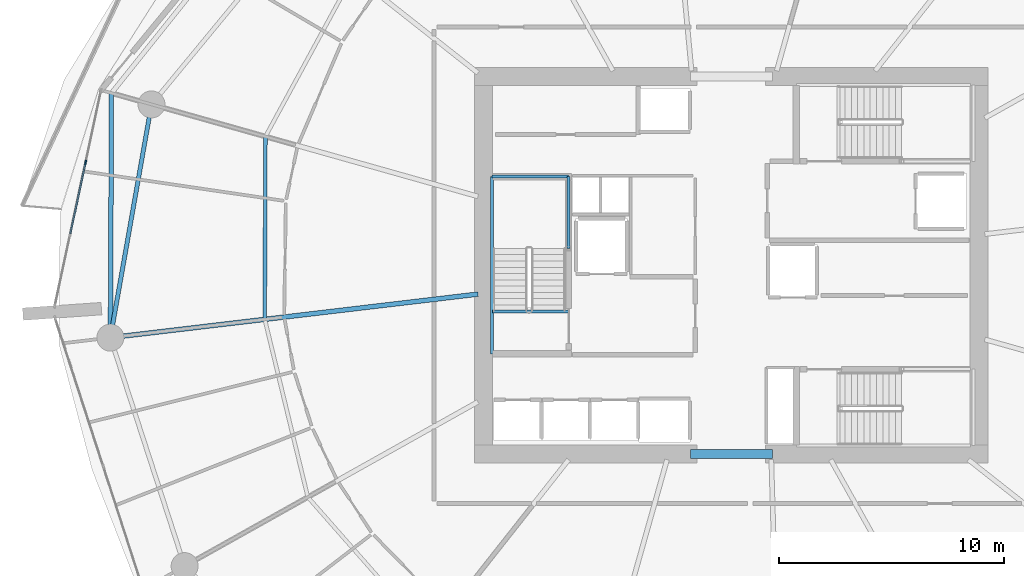
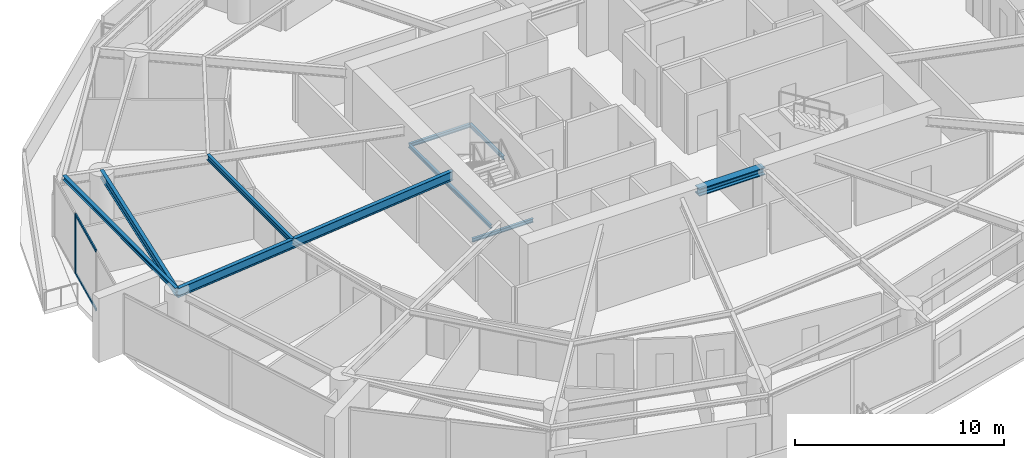
# One storey, part 6 of 22: 9 beams, 3 members, 1 element without a shape of its own.
"""IFC4 building model written with IfcOpenShell, lengths in metres."""

from ifc_helpers import new_model, si_unit, direction, frame, origin, origin_2d, place, context, subcontext, project, spatial, rectangle, i_section, extrude, material, layer, layer_set, material_profile, profile_set, type_object, element, aggregate, save


model = new_model("IFC4")

# Units and contexts
model_context = context("Model", 3, precision=1e-05, world=origin(), true_north=direction((0.0, 1.0)))
body_context = subcontext(model_context, "Body", "Model", "MODEL_VIEW")
ifc_project = project(units=[si_unit("LENGTHUNIT", "METRE"), si_unit("AREAUNIT", "SQUARE_METRE"), si_unit("VOLUMEUNIT", "CUBIC_METRE"), si_unit("PLANEANGLEUNIT", "RADIAN"), si_unit("MASSUNIT", "GRAM", prefix="KILO")], contexts=[model_context])

# Site, building, storey
site_placement = place(None, origin())
site = spatial("IfcSite", under=ifc_project, at=site_placement, CompositionType="ELEMENT")
building_placement = place(site_placement, origin())
building = spatial("IfcBuilding", under=site, at=building_placement, Name="Kazma Halo Residences", CompositionType="ELEMENT")
storey_placement = place(building_placement, frame((0.0, 0.0, 90.14990234375)))
storey = spatial("IfcBuildingStorey", under=building, at=storey_placement, Name="L22", CompositionType="ELEMENT", Elevation=90.14990234375)

# Beams
ifc_material_1 = material(Name="Steel S355", Category="steel")
ifc_material_profile_1 = material_profile(ifc_material_1, i_section(OverallWidth=0.201904296875, OverallDepth=0.2470703125, WebThickness=0.00732421875, FlangeThickness=0.010986328125, FilletRadius=0.011962890625, at=origin_2d()), Name="W250x49.1")
ifc_profile_set_1 = profile_set([ifc_material_profile_1], Name="Steel S355")
beam_type_1 = type_object("IfcBeamType", Name="BM-BAL-CANT", PredefinedType="BEAM", material=ifc_profile_set_1)
beam_1_placement = place(storey_placement, frame((20.8427734375, 49.6591796875, 3.376708984375), z_axis=(-0.004532963616, -0.999989726068, 0.0), x_axis=(0.999989726068, -0.004532963616, 0.0)))
element("IfcBeam", 1, at=beam_1_placement, inside=storey, type_object=beam_type_1, Name="L22 wave-balcony tie beam 07", PredefinedType="BEAM", context=body_context, shape_type="SweptSolid", body=[
    extrude(i_section(OverallWidth=0.201904296875, OverallDepth=0.2470703125, WebThickness=0.00732421875, FlangeThickness=0.010986328125, FilletRadius=0.011962890625, at=origin_2d()), origin(), (0.0, 0.0, 1.0), 10.87939453125),
])
ifc_material_profile_2 = material_profile(ifc_material_1, i_section(OverallWidth=0.408935546875, OverallDepth=0.425048828125, WebThickness=0.03271484375, FlangeThickness=0.052490234375, FilletRadius=0.02001953125, at=origin_2d()), Name="W360x421")
ifc_profile_set_2 = profile_set([ifc_material_profile_2], Name="Steel S355")
beam_type_2 = type_object("IfcBeamType", Name="BM-CORE-W360H", PredefinedType="BEAM", material=ifc_profile_set_2)
beam_2_placement = place(storey_placement, frame((46.60009765625, 33.60009765625, 3.28759765625), z_axis=(1.0, 0.0, 0.0), x_axis=(0.0, 1.0, 0.0)))
element("IfcBeam", 2, at=beam_2_placement, inside=storey, type_object=beam_type_2, Name="L22 core coupling beam S", PredefinedType="BEAM", context=body_context, shape_type="SweptSolid", body=[
    extrude(i_section(OverallWidth=0.408935546875, OverallDepth=0.425048828125, WebThickness=0.03271484375, FlangeThickness=0.052490234375, FilletRadius=0.02001953125, at=origin_2d()), origin(), (0.0, 0.0, 1.0), 3.64990234375),
])
ifc_material_profile_3 = material_profile(ifc_material_1, i_section(OverallWidth=0.208984375, OverallDepth=0.532958984375, WebThickness=0.01025390625, FlangeThickness=0.015625, FilletRadius=0.01611328125, at=origin_2d()), Name="W530x92")
ifc_profile_set_3 = profile_set([ifc_material_profile_3], Name="Steel S355")
beam_type_3 = type_object("IfcBeamType", Name="BM-RAD-W530", PredefinedType="BEAM", material=ifc_profile_set_3)
beam_3_placement = place(storey_placement, frame((37.14990234375, 40.7158203125, 3.233642578125), z_axis=(-0.99306759037, -0.117544718963, 0.0), x_axis=(0.117544718963, -0.99306759037, 0.0)))
element("IfcBeam", 3, at=beam_3_placement, inside=storey, type_object=beam_type_3, Name="L22 radial floor beam 08", PredefinedType="BEAM", context=body_context, shape_type="SweptSolid", body=[
    extrude(i_section(OverallWidth=0.208984375, OverallDepth=0.532958984375, WebThickness=0.01025390625, FlangeThickness=0.015625, FilletRadius=0.01611328125, at=origin_2d()), origin(), (0.0, 0.0, 1.0), 16.470703125),
])
ifc_material_profile_4 = material_profile(ifc_material_1, i_section(OverallWidth=0.1650390625, OverallDepth=0.31005859375, WebThickness=0.005859375, FlangeThickness=0.009765625, FilletRadius=0.011962890625, at=origin_2d()), Name="W310x38.7")
ifc_profile_set_4 = profile_set([ifc_material_profile_4], Name="Steel S355")
beam_type_4 = type_object("IfcBeamType", Name="BM-SEC-W310B", PredefinedType="JOIST", material=ifc_profile_set_4)
beam_4_placement = place(storey_placement, frame((27.69189453125, 47.7275390625, 3.34521484375), z_axis=(-0.003541500645, -0.999993728867, 0.0), x_axis=(0.999993728867, -0.003541500645, 0.0)))
element("IfcBeam", 4, at=beam_4_placement, inside=storey, type_object=beam_type_4, Name="L22 circumferential floor joist 07", PredefinedType="JOIST", context=body_context, shape_type="SweptSolid", body=[
    extrude(i_section(OverallWidth=0.1650390625, OverallDepth=0.31005859375, WebThickness=0.005859375, FlangeThickness=0.009765625, FilletRadius=0.011962890625, at=origin_2d()), origin(), (0.0, 0.0, 1.0), 8.134521484375),
])
ifc_material_profile_5 = material_profile(ifc_material_1, i_section(OverallWidth=0.18994140625, OverallDepth=0.45703125, WebThickness=0.009033203125, FlangeThickness=0.014404296875, FilletRadius=0.01611328125, at=origin_2d()), Name="W460x74")
ifc_profile_set_5 = profile_set([ifc_material_profile_5], Name="Steel S355")
beam_type_5 = type_object("IfcBeamType", Name="BM-SPN-W460", PredefinedType="BEAM", material=ifc_profile_set_5)
beam_5_placement = place(storey_placement, frame((22.623291015625, 49.156982421875, 3.271484375), z_axis=(-0.173653159051, -0.984806874647, 0.0), x_axis=(0.984806874647, -0.173653159051, 0.0)))
element("IfcBeam", 5, at=beam_5_placement, inside=storey, type_object=beam_type_5, Name="L22 perimeter ring beam 07", PredefinedType="BEAM", context=body_context, shape_type="SweptSolid", body=[
    extrude(i_section(OverallWidth=0.18994140625, OverallDepth=0.45703125, WebThickness=0.009033203125, FlangeThickness=0.014404296875, FilletRadius=0.01611328125, at=origin_2d()), origin(), (0.0, 0.0, 1.0), 10.537353515625),
])
ifc_material_profile_6 = material_profile(ifc_material_1, i_section(OverallWidth=0.133056640625, OverallDepth=0.20703125, WebThickness=0.005859375, FlangeThickness=0.00830078125, FilletRadius=0.010009765625, at=origin_2d()), Name="W200x26.6")
ifc_profile_set_6 = profile_set([ifc_material_profile_6], Name="Steel S355")
beam_type_6 = type_object("IfcBeamType", Name="BM-TRIM-W200", PredefinedType="BEAM", material=ifc_profile_set_6)
beam_6_placement = place(storey_placement, frame((37.800048828125, 39.949951171875, -0.35986328125), z_axis=(1.0, 0.0, 0.0), x_axis=(0.0, 1.0, 0.0)))
element("IfcBeam", 6, at=beam_6_placement, inside=storey, type_object=beam_type_6, Name="L22 ST-01 floor landing support beam", PredefinedType="BEAM", context=body_context, shape_type="SweptSolid", body=[
    extrude(i_section(OverallWidth=0.133056640625, OverallDepth=0.20703125, WebThickness=0.005859375, FlangeThickness=0.00830078125, FilletRadius=0.010009765625, at=origin_2d()), origin(), (0.0, 0.0, 1.0), 3.3798828125),
])
beam_7_placement = place(storey_placement, frame((37.780029296875, 38.06005859375, 1.570068359375), z_axis=(0.0, 1.0, 0.0), x_axis=(-1.0, 0.0, 0.0)))
element("IfcBeam", 7, at=beam_7_placement, inside=storey, type_object=beam_type_6, Name="L22 ST-01 landing west wall ledger", PredefinedType="BEAM", context=body_context, shape_type="SweptSolid", body=[
    extrude(i_section(OverallWidth=0.133056640625, OverallDepth=0.20703125, WebThickness=0.005859375, FlangeThickness=0.00830078125, FilletRadius=0.010009765625, at=origin_2d()), origin(), (0.0, 0.0, 1.0), 7.8798828125),
])
beam_8_placement = place(storey_placement, frame((41.179931640625, 42.75, 1.570068359375), z_axis=(0.0, 1.0, 0.0), x_axis=(-1.0, 0.0, 0.0)))
element("IfcBeam", 8, at=beam_8_placement, inside=storey, type_object=beam_type_6, Name="L22 ST-01 landing east wall ledger", PredefinedType="BEAM", context=body_context, shape_type="SweptSolid", body=[
    extrude(i_section(OverallWidth=0.133056640625, OverallDepth=0.20703125, WebThickness=0.005859375, FlangeThickness=0.00830078125, FilletRadius=0.010009765625, at=origin_2d()), origin(), (0.0, 0.0, 1.0), 3.18994140625),
])
beam_9_placement = place(storey_placement, frame((37.780029296875, 45.93994140625, 1.570068359375), z_axis=(1.0, 0.0, 0.0), x_axis=(0.0, 1.0, 0.0)))
element("IfcBeam", 9, at=beam_9_placement, inside=storey, type_object=beam_type_6, Name="L22 ST-01 landing end wall ledger", PredefinedType="BEAM", context=body_context, shape_type="SweptSolid", body=[
    extrude(i_section(OverallWidth=0.133056640625, OverallDepth=0.20703125, WebThickness=0.005859375, FlangeThickness=0.00830078125, FilletRadius=0.010009765625, at=origin_2d()), origin(), (0.0, 0.0, 1.0), 3.39990234375),
])

# Curtain wall, members
ifc_material_2 = material(Name="Aluminium AW-6063 T6 and Triple-Silver Low-E Glass", Category="aluminium")
ifc_layer = layer(ifc_material_2, 0.199951171875)
ifc_layer_set = layer_set([ifc_layer], Name="Aluminium AW-6063 T6 and Triple-Silver Low-E Glass")
curtain_wall_type = type_object("IfcCurtainWallType", Name="CW-SYS-3", PredefinedType="NOTDEFINED", material=ifc_layer_set)
curtain_wall_placement = place(storey_placement, origin())
curtain_wall = element("IfcCurtainWall", 10, at=curtain_wall_placement, inside=storey, type_object=curtain_wall_type, Name="L22 unitised curtain wall B07", PredefinedType="NOTDEFINED")
ifc_material_3 = material(Name="Aluminium AW-6063 T6", Category="aluminium")
ifc_material_profile_7 = material_profile(ifc_material_3, rectangle(XDim=0.070068359375, YDim=0.199951171875, at=origin_2d()), Name="CWM-70x200")
ifc_profile_set_7 = profile_set([ifc_material_profile_7], Name="Aluminium AW-6063 T6")
member_type_1 = type_object("IfcMemberType", Name="CW-SYS-3-MUL", PredefinedType="MULLION", material=ifc_profile_set_7)
member_1_placement = place(storey_placement, frame((19.69287109375, 46.5791015625, 0.0), z_axis=(0.0, 0.0, 1.0), x_axis=(0.977774176093, -0.209660822677, 0.0)))
member_1 = element("IfcMember", 11, at=member_1_placement, type_object=member_type_1, Name="CWS-3 mullion 2", PredefinedType="MULLION", context=body_context, shape_type="SweptSolid", body=[
    extrude(rectangle(XDim=0.070068359375, YDim=0.199951171875, at=origin_2d()), origin(), (0.0, 0.0, 1.0), 3.5),
])
ifc_material_profile_8 = material_profile(ifc_material_3, rectangle(XDim=0.070068359375, YDim=0.14990234375, at=origin_2d()), Name="CWT-70x150")
ifc_profile_set_8 = profile_set([ifc_material_profile_8], Name="Aluminium AW-6063 T6")
member_type_2 = type_object("IfcMemberType", Name="CW-SYS-3-TRN", PredefinedType="USERDEFINED", material=ifc_profile_set_8)
member_2_placement = place(storey_placement, frame((19.685546875, 46.544921875, 0.03515625), z_axis=(-0.209627675811, -0.977781283076, 0.0), x_axis=(0.977781283076, -0.209627675811, 0.0)))
member_2 = element("IfcMember", 12, at=member_2_placement, type_object=member_type_2, Name="CWS-3 transom 2.1", ObjectType="TRANSOM", PredefinedType="USERDEFINED", context=body_context, shape_type="SweptSolid", body=[
    extrude(rectangle(XDim=0.070068359375, YDim=0.14990234375, at=origin_2d()), origin(), (0.0, 0.0, 1.0), 3.213134765625),
])
member_3_placement = place(storey_placement, frame((19.685546875, 46.544921875, 3.465087890625), z_axis=(-0.209627675811, -0.977781283076, 0.0), x_axis=(0.977781283076, -0.209627675811, 0.0)))
member_3 = element("IfcMember", 13, at=member_3_placement, type_object=member_type_2, Name="CWS-3 transom 2.2", ObjectType="TRANSOM", PredefinedType="USERDEFINED", context=body_context, shape_type="SweptSolid", body=[
    extrude(rectangle(XDim=0.070068359375, YDim=0.14990234375, at=origin_2d()), origin(), (0.0, 0.0, 1.0), 3.213134765625),
])
aggregate(curtain_wall, [member_1, member_2, member_3])

save(model, "model.ifc")
